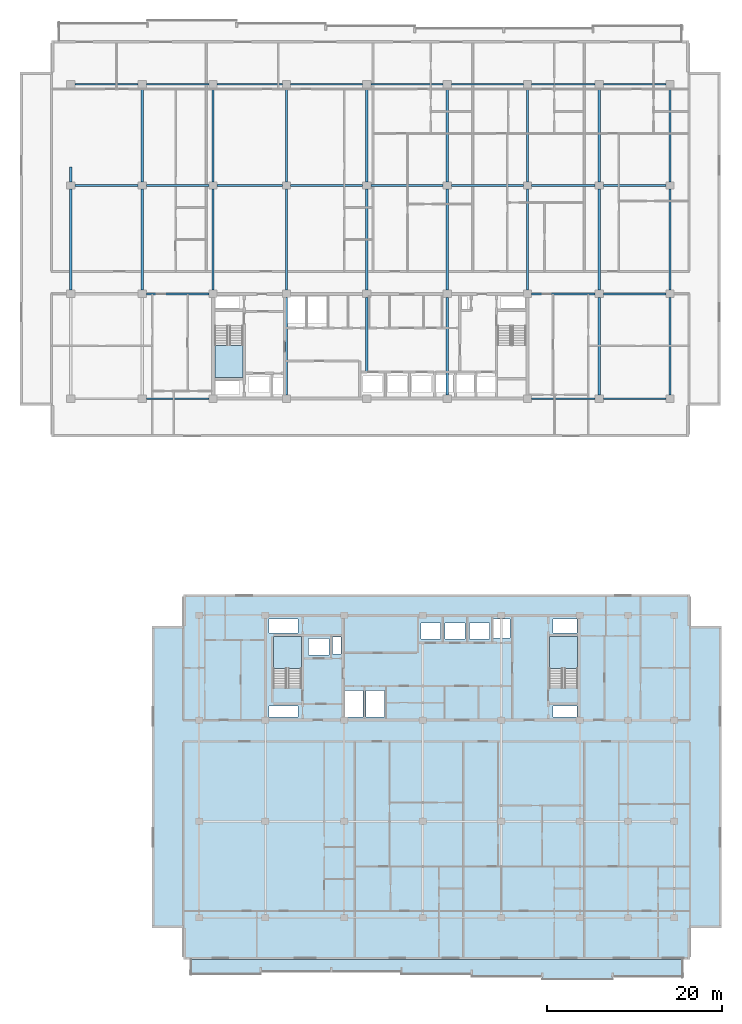
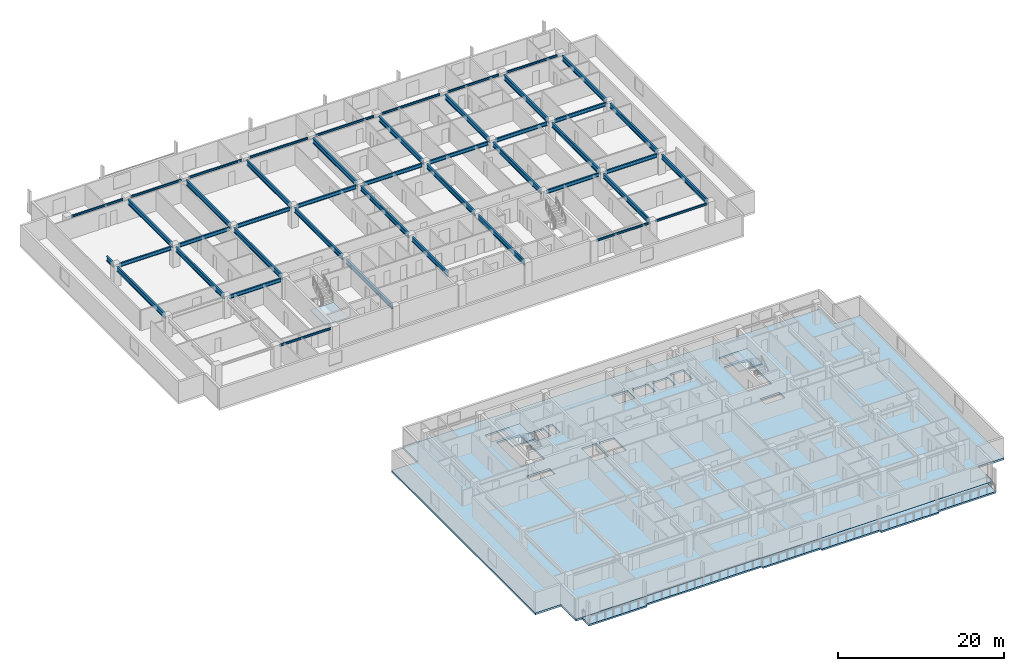
# One storey, part 2 of 22: 45 beams, 5 slabs, 3 elements without a shape of their own.
"""IFC4 building model written with IfcOpenShell, lengths in metres."""

from ifc_helpers import new_model, si_unit, direction, frame, origin, origin_2d, place, context, subcontext, project, spatial, polyline, i_section, outline, extrude, material, layer, layer_set, material_profile, profile_set, type_object, element, aggregate, save


model = new_model("IFC4")

# Units and contexts
model_context = context("Model", 3, precision=1e-05, world=origin(), true_north=direction((0.0, 1.0)))
body_context = subcontext(model_context, "Body", "Model", "MODEL_VIEW")
ifc_project = project(units=[si_unit("LENGTHUNIT", "METRE"), si_unit("AREAUNIT", "SQUARE_METRE"), si_unit("VOLUMEUNIT", "CUBIC_METRE"), si_unit("PLANEANGLEUNIT", "RADIAN"), si_unit("MASSUNIT", "GRAM", prefix="KILO")], contexts=[model_context])

# Site, building, storey
site_placement = place(None, origin())
site = spatial("IfcSite", under=ifc_project, at=site_placement, CompositionType="ELEMENT")
building_placement = place(site_placement, origin())
building = spatial("IfcBuilding", under=site, at=building_placement, Name="Korimba Cascade Residences", CompositionType="ELEMENT")
storey_placement = place(building_placement, frame((0.0, 0.0, 110.050048828125)))
storey = spatial("IfcBuildingStorey", under=building, at=storey_placement, Name="L31", CompositionType="ELEMENT", Elevation=110.050048828125)

# Beams
ifc_material_1 = material(Name="Steel S355", Category="steel")
ifc_material_profile_1 = material_profile(ifc_material_1, i_section(OverallWidth=0.165771484375, OverallDepth=0.306640625, WebThickness=0.006591796875, FlangeThickness=0.01171875, FilletRadius=0.0087890625, at=origin_2d()), Name="Steel S355")
ifc_profile_set_1 = profile_set([ifc_material_profile_1], Name="Steel S355")
beam_type_1 = type_object("IfcBeamType", Name="BM-STL-UB305", PredefinedType="SPANDREL", material=ifc_profile_set_1)
beam_1_placement = place(storey_placement, frame((68.47509765625, 55.199951171875, 2.816650390625), z_axis=(1.0, 0.0, 0.0), x_axis=(0.0, 1.0, 0.0)))
element("IfcBeam", 1, at=beam_1_placement, inside=storey, type_object=beam_type_1, Name="L31 T1 E-W Girder Y1 Bay 2", PredefinedType="SPANDREL", context=body_context, shape_type="SweptSolid", body=[
    extrude(i_section(OverallWidth=0.165771484375, OverallDepth=0.306640625, WebThickness=0.006591796875, FlangeThickness=0.01171875, FilletRadius=0.0087890625, at=origin_2d()), origin(), (0.0, 0.0, 1.0), 7.14990234375),
])
beam_2_placement = place(storey_placement, frame((112.574951171875, 55.199951171875, 2.816650390625), z_axis=(1.0, 0.0, 0.0), x_axis=(0.0, 1.0, 0.0)))
element("IfcBeam", 2, at=beam_2_placement, inside=storey, type_object=beam_type_1, Name="L31 T1 E-W Girder Y1 Bay 7", PredefinedType="SPANDREL", context=body_context, shape_type="SweptSolid", body=[
    extrude(i_section(OverallWidth=0.165771484375, OverallDepth=0.306640625, WebThickness=0.006591796875, FlangeThickness=0.01171875, FilletRadius=0.0087890625, at=origin_2d()), origin(), (0.0, 0.0, 1.0), 7.25),
])
beam_3_placement = place(storey_placement, frame((120.77490234375, 55.199951171875, 2.816650390625), z_axis=(1.0, 0.0, 0.0), x_axis=(0.0, 1.0, 0.0)))
element("IfcBeam", 3, at=beam_3_placement, inside=storey, type_object=beam_type_1, Name="L31 T1 E-W Girder Y1 Bay 8", PredefinedType="SPANDREL", context=body_context, shape_type="SweptSolid", body=[
    extrude(i_section(OverallWidth=0.165771484375, OverallDepth=0.306640625, WebThickness=0.006591796875, FlangeThickness=0.01171875, FilletRadius=0.0087890625, at=origin_2d()), origin(), (0.0, 0.0, 1.0), 7.150146484375),
])
beam_4_placement = place(storey_placement, frame((60.27490234375, 91.199951171875, 2.816650390625), z_axis=(1.0, 0.0, 0.0), x_axis=(0.0, 1.0, 0.0)))
element("IfcBeam", 4, at=beam_4_placement, inside=storey, type_object=beam_type_1, Name="L31 T1 E-W Girder Y4 Bay 1", PredefinedType="SPANDREL", context=body_context, shape_type="SweptSolid", body=[
    extrude(i_section(OverallWidth=0.165771484375, OverallDepth=0.306640625, WebThickness=0.006591796875, FlangeThickness=0.01171875, FilletRadius=0.0087890625, at=origin_2d()), origin(), (0.0, 0.0, 1.0), 7.25),
])
beam_5_placement = place(storey_placement, frame((68.47509765625, 91.199951171875, 2.816650390625), z_axis=(1.0, 0.0, 0.0), x_axis=(0.0, 1.0, 0.0)))
element("IfcBeam", 5, at=beam_5_placement, inside=storey, type_object=beam_type_1, Name="L31 T1 E-W Girder Y4 Bay 2", PredefinedType="SPANDREL", context=body_context, shape_type="SweptSolid", body=[
    extrude(i_section(OverallWidth=0.165771484375, OverallDepth=0.306640625, WebThickness=0.006591796875, FlangeThickness=0.01171875, FilletRadius=0.0087890625, at=origin_2d()), origin(), (0.0, 0.0, 1.0), 7.14990234375),
])
beam_6_placement = place(storey_placement, frame((76.574951171875, 91.199951171875, 2.816650390625), z_axis=(1.0, 0.0, 0.0), x_axis=(0.0, 1.0, 0.0)))
element("IfcBeam", 6, at=beam_6_placement, inside=storey, type_object=beam_type_1, Name="L31 T1 E-W Girder Y4 Bay 3", PredefinedType="SPANDREL", context=body_context, shape_type="SweptSolid", body=[
    extrude(i_section(OverallWidth=0.165771484375, OverallDepth=0.306640625, WebThickness=0.006591796875, FlangeThickness=0.01171875, FilletRadius=0.0087890625, at=origin_2d()), origin(), (0.0, 0.0, 1.0), 7.449951171875),
])
for number, where, z_axis, x_axis, name in (
    (7, (84.97509765625, 91.199951171875, 2.816650390625), (1.0, 0.0, 0.0), (0.0, 1.0, 0.0), "L31 T1 E-W Girder Y4 Bay 4"),
    (8, (94.175048828125, 91.199951171875, 2.816650390625), (1.0, 0.0, 0.0), (0.0, 1.0, 0.0), "L31 T1 E-W Girder Y4 Bay 5"),
    (9, (103.375, 91.199951171875, 2.816650390625), (1.0, 0.0, 0.0), (0.0, 1.0, 0.0), "L31 T1 E-W Girder Y4 Bay 6"),
):
    element("IfcBeam", number, at=place(storey_placement, frame(where, z_axis=z_axis, x_axis=x_axis)), inside=storey, type_object=beam_type_1, Name=name, PredefinedType="SPANDREL", context=body_context, shape_type="SweptSolid", body=[
        extrude(i_section(OverallWidth=0.165771484375, OverallDepth=0.306640625, WebThickness=0.006591796875, FlangeThickness=0.01171875, FilletRadius=0.0087890625, at=origin_2d()), origin(), (0.0, 0.0, 1.0), 8.25),
    ])
beam_7_placement = place(storey_placement, frame((112.574951171875, 91.199951171875, 2.816650390625), z_axis=(1.0, 0.0, 0.0), x_axis=(0.0, 1.0, 0.0)))
element("IfcBeam", 10, at=beam_7_placement, inside=storey, type_object=beam_type_1, Name="L31 T1 E-W Girder Y4 Bay 7", PredefinedType="SPANDREL", context=body_context, shape_type="SweptSolid", body=[
    extrude(i_section(OverallWidth=0.165771484375, OverallDepth=0.306640625, WebThickness=0.006591796875, FlangeThickness=0.01171875, FilletRadius=0.0087890625, at=origin_2d()), origin(), (0.0, 0.0, 1.0), 7.25),
])
beam_8_placement = place(storey_placement, frame((120.77490234375, 91.199951171875, 2.816650390625), z_axis=(1.0, 0.0, 0.0), x_axis=(0.0, 1.0, 0.0)))
element("IfcBeam", 11, at=beam_8_placement, inside=storey, type_object=beam_type_1, Name="L31 T1 E-W Girder Y4 Bay 8", PredefinedType="SPANDREL", context=body_context, shape_type="SweptSolid", body=[
    extrude(i_section(OverallWidth=0.165771484375, OverallDepth=0.306640625, WebThickness=0.006591796875, FlangeThickness=0.01171875, FilletRadius=0.0087890625, at=origin_2d()), origin(), (0.0, 0.0, 1.0), 7.150146484375),
])
ifc_material_profile_2 = material_profile(ifc_material_1, i_section(OverallWidth=0.2099609375, OverallDepth=0.53662109375, WebThickness=0.0107421875, FlangeThickness=0.017333984375, FilletRadius=0.0126953125, at=origin_2d()), Name="Steel S355")
ifc_profile_set_2 = profile_set([ifc_material_profile_2], Name="Steel S355")
beam_type_2 = type_object("IfcBeamType", Name="BM-STL-UB533", PredefinedType="BEAM", material=ifc_profile_set_2)
beam_9_placement = place(storey_placement, frame((68.47509765625, 67.199951171875, 2.70166015625), z_axis=(1.0, 0.0, 0.0), x_axis=(0.0, 1.0, 0.0)))
element("IfcBeam", 12, at=beam_9_placement, inside=storey, type_object=beam_type_2, Name="L31 T1 E-W Girder Y2 Bay 2", PredefinedType="BEAM", context=body_context, shape_type="SweptSolid", body=[
    extrude(i_section(OverallWidth=0.2099609375, OverallDepth=0.53662109375, WebThickness=0.0107421875, FlangeThickness=0.017333984375, FilletRadius=0.0126953125, at=origin_2d()), origin(), (0.0, 0.0, 1.0), 7.14990234375),
])
beam_10_placement = place(storey_placement, frame((112.574951171875, 67.199951171875, 2.70166015625), z_axis=(1.0, 0.0, 0.0), x_axis=(0.0, 1.0, 0.0)))
element("IfcBeam", 13, at=beam_10_placement, inside=storey, type_object=beam_type_2, Name="L31 T1 E-W Girder Y2 Bay 7", PredefinedType="BEAM", context=body_context, shape_type="SweptSolid", body=[
    extrude(i_section(OverallWidth=0.2099609375, OverallDepth=0.53662109375, WebThickness=0.0107421875, FlangeThickness=0.017333984375, FilletRadius=0.0126953125, at=origin_2d()), origin(), (0.0, 0.0, 1.0), 7.25),
])
beam_11_placement = place(storey_placement, frame((120.77490234375, 67.199951171875, 2.70166015625), z_axis=(1.0, 0.0, 0.0), x_axis=(0.0, 1.0, 0.0)))
element("IfcBeam", 14, at=beam_11_placement, inside=storey, type_object=beam_type_2, Name="L31 T1 E-W Girder Y2 Bay 8", PredefinedType="BEAM", context=body_context, shape_type="SweptSolid", body=[
    extrude(i_section(OverallWidth=0.2099609375, OverallDepth=0.53662109375, WebThickness=0.0107421875, FlangeThickness=0.017333984375, FilletRadius=0.0126953125, at=origin_2d()), origin(), (0.0, 0.0, 1.0), 7.150146484375),
])
beam_12_placement = place(storey_placement, frame((60.27490234375, 79.60009765625, 2.70166015625), z_axis=(1.0, 0.0, 0.0), x_axis=(0.0, 1.0, 0.0)))
element("IfcBeam", 15, at=beam_12_placement, inside=storey, type_object=beam_type_2, Name="L31 T1 E-W Girder Y3 Bay 1", PredefinedType="BEAM", context=body_context, shape_type="SweptSolid", body=[
    extrude(i_section(OverallWidth=0.2099609375, OverallDepth=0.53662109375, WebThickness=0.0107421875, FlangeThickness=0.017333984375, FilletRadius=0.0126953125, at=origin_2d()), origin(), (0.0, 0.0, 1.0), 7.25),
])
beam_13_placement = place(storey_placement, frame((68.47509765625, 79.60009765625, 2.70166015625), z_axis=(1.0, 0.0, 0.0), x_axis=(0.0, 1.0, 0.0)))
element("IfcBeam", 16, at=beam_13_placement, inside=storey, type_object=beam_type_2, Name="L31 T1 E-W Girder Y3 Bay 2", PredefinedType="BEAM", context=body_context, shape_type="SweptSolid", body=[
    extrude(i_section(OverallWidth=0.2099609375, OverallDepth=0.53662109375, WebThickness=0.0107421875, FlangeThickness=0.017333984375, FilletRadius=0.0126953125, at=origin_2d()), origin(), (0.0, 0.0, 1.0), 7.14990234375),
])
beam_14_placement = place(storey_placement, frame((76.574951171875, 79.60009765625, 2.70166015625), z_axis=(1.0, 0.0, 0.0), x_axis=(0.0, 1.0, 0.0)))
element("IfcBeam", 17, at=beam_14_placement, inside=storey, type_object=beam_type_2, Name="L31 T1 E-W Girder Y3 Bay 3", PredefinedType="BEAM", context=body_context, shape_type="SweptSolid", body=[
    extrude(i_section(OverallWidth=0.2099609375, OverallDepth=0.53662109375, WebThickness=0.0107421875, FlangeThickness=0.017333984375, FilletRadius=0.0126953125, at=origin_2d()), origin(), (0.0, 0.0, 1.0), 7.449951171875),
])
for number, where, z_axis, x_axis, name in (
    (18, (84.97509765625, 79.60009765625, 2.70166015625), (1.0, 0.0, 0.0), (0.0, 1.0, 0.0), "L31 T1 E-W Girder Y3 Bay 4"),
    (19, (94.175048828125, 79.60009765625, 2.70166015625), (1.0, 0.0, 0.0), (0.0, 1.0, 0.0), "L31 T1 E-W Girder Y3 Bay 5"),
    (20, (103.375, 79.60009765625, 2.70166015625), (1.0, 0.0, 0.0), (0.0, 1.0, 0.0), "L31 T1 E-W Girder Y3 Bay 6"),
):
    element("IfcBeam", number, at=place(storey_placement, frame(where, z_axis=z_axis, x_axis=x_axis)), inside=storey, type_object=beam_type_2, Name=name, PredefinedType="BEAM", context=body_context, shape_type="SweptSolid", body=[
        extrude(i_section(OverallWidth=0.2099609375, OverallDepth=0.53662109375, WebThickness=0.0107421875, FlangeThickness=0.017333984375, FilletRadius=0.0126953125, at=origin_2d()), origin(), (0.0, 0.0, 1.0), 8.25),
    ])
beam_15_placement = place(storey_placement, frame((112.574951171875, 79.60009765625, 2.70166015625), z_axis=(1.0, 0.0, 0.0), x_axis=(0.0, 1.0, 0.0)))
element("IfcBeam", 21, at=beam_15_placement, inside=storey, type_object=beam_type_2, Name="L31 T1 E-W Girder Y3 Bay 7", PredefinedType="BEAM", context=body_context, shape_type="SweptSolid", body=[
    extrude(i_section(OverallWidth=0.2099609375, OverallDepth=0.53662109375, WebThickness=0.0107421875, FlangeThickness=0.017333984375, FilletRadius=0.0126953125, at=origin_2d()), origin(), (0.0, 0.0, 1.0), 7.25),
])
beam_16_placement = place(storey_placement, frame((120.77490234375, 79.60009765625, 2.70166015625), z_axis=(1.0, 0.0, 0.0), x_axis=(0.0, 1.0, 0.0)))
element("IfcBeam", 22, at=beam_16_placement, inside=storey, type_object=beam_type_2, Name="L31 T1 E-W Girder Y3 Bay 8", PredefinedType="BEAM", context=body_context, shape_type="SweptSolid", body=[
    extrude(i_section(OverallWidth=0.2099609375, OverallDepth=0.53662109375, WebThickness=0.0107421875, FlangeThickness=0.017333984375, FilletRadius=0.0126953125, at=origin_2d()), origin(), (0.0, 0.0, 1.0), 7.150146484375),
])
ifc_material_profile_3 = material_profile(ifc_material_1, i_section(OverallWidth=0.255859375, OverallDepth=0.69287109375, WebThickness=0.014404296875, FlangeThickness=0.023681640625, FilletRadius=0.01513671875, at=origin_2d()), Name="Steel S355")
ifc_profile_set_3 = profile_set([ifc_material_profile_3], Name="Steel S355")
beam_type_3 = type_object("IfcBeamType", Name="BM-STL-UB686", PredefinedType="BEAM", material=ifc_profile_set_3)
beam_17_placement = place(storey_placement, frame((59.800048828125, 67.625, 2.62353515625), z_axis=(0.0, 1.0, 0.0), x_axis=(-1.0, 0.0, 0.0)))
element("IfcBeam", 23, at=beam_17_placement, inside=storey, type_object=beam_type_3, Name="L31 T1 N-S Girder X1 Seg 2", PredefinedType="BEAM", context=body_context, shape_type="SweptSolid", body=[
    extrude(i_section(OverallWidth=0.255859375, OverallDepth=0.69287109375, WebThickness=0.014404296875, FlangeThickness=0.023681640625, FilletRadius=0.01513671875, at=origin_2d()), origin(), (0.0, 0.0, 1.0), 11.550048828125),
])
beam_18_placement = place(storey_placement, frame((59.800048828125, 80.02490234375, 2.62353515625), z_axis=(0.0, 1.0, 0.0), x_axis=(-1.0, 0.0, 0.0)))
element("IfcBeam", 24, at=beam_18_placement, inside=storey, type_object=beam_type_3, Name="L31 T1 N-S Girder X1 Seg 3", PredefinedType="BEAM", context=body_context, shape_type="SweptSolid", body=[
    extrude(i_section(OverallWidth=0.255859375, OverallDepth=0.69287109375, WebThickness=0.014404296875, FlangeThickness=0.023681640625, FilletRadius=0.01513671875, at=origin_2d()), origin(), (0.0, 0.0, 1.0), 1.675048828125),
])
beam_19_placement = place(storey_placement, frame((68.0, 67.625, 2.62353515625), z_axis=(0.0, 1.0, 0.0), x_axis=(-1.0, 0.0, 0.0)))
element("IfcBeam", 25, at=beam_19_placement, inside=storey, type_object=beam_type_3, Name="L31 T1 N-S Girder X2 Seg 2", PredefinedType="BEAM", context=body_context, shape_type="SweptSolid", body=[
    extrude(i_section(OverallWidth=0.255859375, OverallDepth=0.69287109375, WebThickness=0.014404296875, FlangeThickness=0.023681640625, FilletRadius=0.01513671875, at=origin_2d()), origin(), (0.0, 0.0, 1.0), 11.550048828125),
])
beam_20_placement = place(storey_placement, frame((68.0, 80.02490234375, 2.62353515625), z_axis=(0.0, 1.0, 0.0), x_axis=(-1.0, 0.0, 0.0)))
element("IfcBeam", 26, at=beam_20_placement, inside=storey, type_object=beam_type_3, Name="L31 T1 N-S Girder X2 Seg 3", PredefinedType="BEAM", context=body_context, shape_type="SweptSolid", body=[
    extrude(i_section(OverallWidth=0.255859375, OverallDepth=0.69287109375, WebThickness=0.014404296875, FlangeThickness=0.023681640625, FilletRadius=0.01513671875, at=origin_2d()), origin(), (0.0, 0.0, 1.0), 10.75),
])
beam_21_placement = place(storey_placement, frame((76.10009765625, 67.625, 2.62353515625), z_axis=(0.0, 1.0, 0.0), x_axis=(-1.0, 0.0, 0.0)))
element("IfcBeam", 27, at=beam_21_placement, inside=storey, type_object=beam_type_3, Name="L31 T1 N-S Girder X3 Seg 2", PredefinedType="BEAM", context=body_context, shape_type="SweptSolid", body=[
    extrude(i_section(OverallWidth=0.255859375, OverallDepth=0.69287109375, WebThickness=0.014404296875, FlangeThickness=0.023681640625, FilletRadius=0.01513671875, at=origin_2d()), origin(), (0.0, 0.0, 1.0), 11.550048828125),
])
beam_22_placement = place(storey_placement, frame((76.10009765625, 80.02490234375, 2.62353515625), z_axis=(0.0, 1.0, 0.0), x_axis=(-1.0, 0.0, 0.0)))
element("IfcBeam", 28, at=beam_22_placement, inside=storey, type_object=beam_type_3, Name="L31 T1 N-S Girder X3 Seg 3", PredefinedType="BEAM", context=body_context, shape_type="SweptSolid", body=[
    extrude(i_section(OverallWidth=0.255859375, OverallDepth=0.69287109375, WebThickness=0.014404296875, FlangeThickness=0.023681640625, FilletRadius=0.01513671875, at=origin_2d()), origin(), (0.0, 0.0, 1.0), 10.75),
])
beam_23_placement = place(storey_placement, frame((84.5, 55.625, 2.62353515625), z_axis=(0.0, 1.0, 0.0), x_axis=(-1.0, 0.0, 0.0)))
element("IfcBeam", 29, at=beam_23_placement, inside=storey, type_object=beam_type_3, Name="L31 T1 N-S Girder X4 Seg 1", PredefinedType="BEAM", context=body_context, shape_type="SweptSolid", body=[
    extrude(i_section(OverallWidth=0.255859375, OverallDepth=0.69287109375, WebThickness=0.014404296875, FlangeThickness=0.023681640625, FilletRadius=0.01513671875, at=origin_2d()), origin(), (0.0, 0.0, 1.0), 11.14990234375),
])
beam_24_placement = place(storey_placement, frame((84.5, 67.625, 2.62353515625), z_axis=(0.0, 1.0, 0.0), x_axis=(-1.0, 0.0, 0.0)))
element("IfcBeam", 30, at=beam_24_placement, inside=storey, type_object=beam_type_3, Name="L31 T1 N-S Girder X4 Seg 2", PredefinedType="BEAM", context=body_context, shape_type="SweptSolid", body=[
    extrude(i_section(OverallWidth=0.255859375, OverallDepth=0.69287109375, WebThickness=0.014404296875, FlangeThickness=0.023681640625, FilletRadius=0.01513671875, at=origin_2d()), origin(), (0.0, 0.0, 1.0), 11.550048828125),
])
beam_25_placement = place(storey_placement, frame((84.5, 80.02490234375, 2.62353515625), z_axis=(0.0, 1.0, 0.0), x_axis=(-1.0, 0.0, 0.0)))
element("IfcBeam", 31, at=beam_25_placement, inside=storey, type_object=beam_type_3, Name="L31 T1 N-S Girder X4 Seg 3", PredefinedType="BEAM", context=body_context, shape_type="SweptSolid", body=[
    extrude(i_section(OverallWidth=0.255859375, OverallDepth=0.69287109375, WebThickness=0.014404296875, FlangeThickness=0.023681640625, FilletRadius=0.01513671875, at=origin_2d()), origin(), (0.0, 0.0, 1.0), 10.75),
])
beam_26_placement = place(storey_placement, frame((93.699951171875, 58.159912109375, 2.62353515625), z_axis=(0.0, 1.0, 0.0), x_axis=(-1.0, 0.0, 0.0)))
element("IfcBeam", 32, at=beam_26_placement, inside=storey, type_object=beam_type_3, Name="L31 T1 N-S Girder X5 Seg 1", PredefinedType="BEAM", context=body_context, shape_type="SweptSolid", body=[
    extrude(i_section(OverallWidth=0.255859375, OverallDepth=0.69287109375, WebThickness=0.014404296875, FlangeThickness=0.023681640625, FilletRadius=0.01513671875, at=origin_2d()), origin(), (0.0, 0.0, 1.0), 8.614990234375),
])
beam_27_placement = place(storey_placement, frame((93.699951171875, 67.625, 2.62353515625), z_axis=(0.0, 1.0, 0.0), x_axis=(-1.0, 0.0, 0.0)))
element("IfcBeam", 33, at=beam_27_placement, inside=storey, type_object=beam_type_3, Name="L31 T1 N-S Girder X5 Seg 2", PredefinedType="BEAM", context=body_context, shape_type="SweptSolid", body=[
    extrude(i_section(OverallWidth=0.255859375, OverallDepth=0.69287109375, WebThickness=0.014404296875, FlangeThickness=0.023681640625, FilletRadius=0.01513671875, at=origin_2d()), origin(), (0.0, 0.0, 1.0), 11.550048828125),
])
beam_28_placement = place(storey_placement, frame((93.699951171875, 80.02490234375, 2.62353515625), z_axis=(0.0, 1.0, 0.0), x_axis=(-1.0, 0.0, 0.0)))
element("IfcBeam", 34, at=beam_28_placement, inside=storey, type_object=beam_type_3, Name="L31 T1 N-S Girder X5 Seg 3", PredefinedType="BEAM", context=body_context, shape_type="SweptSolid", body=[
    extrude(i_section(OverallWidth=0.255859375, OverallDepth=0.69287109375, WebThickness=0.014404296875, FlangeThickness=0.023681640625, FilletRadius=0.01513671875, at=origin_2d()), origin(), (0.0, 0.0, 1.0), 10.75),
])
beam_29_placement = place(storey_placement, frame((102.89990234375, 55.625, 2.62353515625), z_axis=(0.0, 1.0, 0.0), x_axis=(-1.0, 0.0, 0.0)))
element("IfcBeam", 35, at=beam_29_placement, inside=storey, type_object=beam_type_3, Name="L31 T1 N-S Girder X6 Seg 1", PredefinedType="BEAM", context=body_context, shape_type="SweptSolid", body=[
    extrude(i_section(OverallWidth=0.255859375, OverallDepth=0.69287109375, WebThickness=0.014404296875, FlangeThickness=0.023681640625, FilletRadius=0.01513671875, at=origin_2d()), origin(), (0.0, 0.0, 1.0), 11.14990234375),
])
beam_30_placement = place(storey_placement, frame((102.89990234375, 67.625, 2.62353515625), z_axis=(0.0, 1.0, 0.0), x_axis=(-1.0, 0.0, 0.0)))
element("IfcBeam", 36, at=beam_30_placement, inside=storey, type_object=beam_type_3, Name="L31 T1 N-S Girder X6 Seg 2", PredefinedType="BEAM", context=body_context, shape_type="SweptSolid", body=[
    extrude(i_section(OverallWidth=0.255859375, OverallDepth=0.69287109375, WebThickness=0.014404296875, FlangeThickness=0.023681640625, FilletRadius=0.01513671875, at=origin_2d()), origin(), (0.0, 0.0, 1.0), 11.550048828125),
])
beam_31_placement = place(storey_placement, frame((102.89990234375, 80.02490234375, 2.62353515625), z_axis=(0.0, 1.0, 0.0), x_axis=(-1.0, 0.0, 0.0)))
element("IfcBeam", 37, at=beam_31_placement, inside=storey, type_object=beam_type_3, Name="L31 T1 N-S Girder X6 Seg 3", PredefinedType="BEAM", context=body_context, shape_type="SweptSolid", body=[
    extrude(i_section(OverallWidth=0.255859375, OverallDepth=0.69287109375, WebThickness=0.014404296875, FlangeThickness=0.023681640625, FilletRadius=0.01513671875, at=origin_2d()), origin(), (0.0, 0.0, 1.0), 10.75),
])
beam_32_placement = place(storey_placement, frame((112.10009765625, 67.625, 2.62353515625), z_axis=(0.0, 1.0, 0.0), x_axis=(-1.0, 0.0, 0.0)))
element("IfcBeam", 38, at=beam_32_placement, inside=storey, type_object=beam_type_3, Name="L31 T1 N-S Girder X7 Seg 2", PredefinedType="BEAM", context=body_context, shape_type="SweptSolid", body=[
    extrude(i_section(OverallWidth=0.255859375, OverallDepth=0.69287109375, WebThickness=0.014404296875, FlangeThickness=0.023681640625, FilletRadius=0.01513671875, at=origin_2d()), origin(), (0.0, 0.0, 1.0), 11.550048828125),
])
beam_33_placement = place(storey_placement, frame((112.10009765625, 80.02490234375, 2.62353515625), z_axis=(0.0, 1.0, 0.0), x_axis=(-1.0, 0.0, 0.0)))
element("IfcBeam", 39, at=beam_33_placement, inside=storey, type_object=beam_type_3, Name="L31 T1 N-S Girder X7 Seg 3", PredefinedType="BEAM", context=body_context, shape_type="SweptSolid", body=[
    extrude(i_section(OverallWidth=0.255859375, OverallDepth=0.69287109375, WebThickness=0.014404296875, FlangeThickness=0.023681640625, FilletRadius=0.01513671875, at=origin_2d()), origin(), (0.0, 0.0, 1.0), 10.75),
])
beam_34_placement = place(storey_placement, frame((120.300048828125, 55.625, 2.62353515625), z_axis=(0.0, 1.0, 0.0), x_axis=(-1.0, 0.0, 0.0)))
element("IfcBeam", 40, at=beam_34_placement, inside=storey, type_object=beam_type_3, Name="L31 T1 N-S Girder X8 Seg 1", PredefinedType="BEAM", context=body_context, shape_type="SweptSolid", body=[
    extrude(i_section(OverallWidth=0.255859375, OverallDepth=0.69287109375, WebThickness=0.014404296875, FlangeThickness=0.023681640625, FilletRadius=0.01513671875, at=origin_2d()), origin(), (0.0, 0.0, 1.0), 11.14990234375),
])
beam_35_placement = place(storey_placement, frame((120.300048828125, 67.625, 2.62353515625), z_axis=(0.0, 1.0, 0.0), x_axis=(-1.0, 0.0, 0.0)))
element("IfcBeam", 41, at=beam_35_placement, inside=storey, type_object=beam_type_3, Name="L31 T1 N-S Girder X8 Seg 2", PredefinedType="BEAM", context=body_context, shape_type="SweptSolid", body=[
    extrude(i_section(OverallWidth=0.255859375, OverallDepth=0.69287109375, WebThickness=0.014404296875, FlangeThickness=0.023681640625, FilletRadius=0.01513671875, at=origin_2d()), origin(), (0.0, 0.0, 1.0), 11.550048828125),
])
beam_36_placement = place(storey_placement, frame((120.300048828125, 80.02490234375, 2.62353515625), z_axis=(0.0, 1.0, 0.0), x_axis=(-1.0, 0.0, 0.0)))
element("IfcBeam", 42, at=beam_36_placement, inside=storey, type_object=beam_type_3, Name="L31 T1 N-S Girder X8 Seg 3", PredefinedType="BEAM", context=body_context, shape_type="SweptSolid", body=[
    extrude(i_section(OverallWidth=0.255859375, OverallDepth=0.69287109375, WebThickness=0.014404296875, FlangeThickness=0.023681640625, FilletRadius=0.01513671875, at=origin_2d()), origin(), (0.0, 0.0, 1.0), 10.75),
])
beam_37_placement = place(storey_placement, frame((128.39990234375, 55.625, 2.62353515625), z_axis=(0.0, 1.0, 0.0), x_axis=(-1.0, 0.0, 0.0)))
element("IfcBeam", 43, at=beam_37_placement, inside=storey, type_object=beam_type_3, Name="L31 T1 N-S Girder X9 Seg 1", PredefinedType="BEAM", context=body_context, shape_type="SweptSolid", body=[
    extrude(i_section(OverallWidth=0.255859375, OverallDepth=0.69287109375, WebThickness=0.014404296875, FlangeThickness=0.023681640625, FilletRadius=0.01513671875, at=origin_2d()), origin(), (0.0, 0.0, 1.0), 11.14990234375),
])
beam_38_placement = place(storey_placement, frame((128.39990234375, 67.625, 2.62353515625), z_axis=(0.0, 1.0, 0.0), x_axis=(-1.0, 0.0, 0.0)))
element("IfcBeam", 44, at=beam_38_placement, inside=storey, type_object=beam_type_3, Name="L31 T1 N-S Girder X9 Seg 2", PredefinedType="BEAM", context=body_context, shape_type="SweptSolid", body=[
    extrude(i_section(OverallWidth=0.255859375, OverallDepth=0.69287109375, WebThickness=0.014404296875, FlangeThickness=0.023681640625, FilletRadius=0.01513671875, at=origin_2d()), origin(), (0.0, 0.0, 1.0), 11.550048828125),
])
beam_39_placement = place(storey_placement, frame((128.39990234375, 80.02490234375, 2.62353515625), z_axis=(0.0, 1.0, 0.0), x_axis=(-1.0, 0.0, 0.0)))
element("IfcBeam", 45, at=beam_39_placement, inside=storey, type_object=beam_type_3, Name="L31 T1 N-S Girder X9 Seg 3", PredefinedType="BEAM", context=body_context, shape_type="SweptSolid", body=[
    extrude(i_section(OverallWidth=0.255859375, OverallDepth=0.69287109375, WebThickness=0.014404296875, FlangeThickness=0.023681640625, FilletRadius=0.01513671875, at=origin_2d()), origin(), (0.0, 0.0, 1.0), 10.75),
])

# Stair, slab
ifc_material_2 = material(Name="Concrete C50/60", Category="concrete")
stair_type_1 = type_object("IfcStairType", Name="STR-W1-18R-1806", PredefinedType="HALF_TURN_STAIR", material=ifc_material_2)
stair_1_placement = place(storey_placement, origin())
stair_1 = element("IfcStair", 46, at=stair_1_placement, inside=storey, type_object=stair_type_1, Name="L31 Tower 1 West Fire Stair ST-W1", PredefinedType="HALF_TURN_STAIR")
ifc_layer_1 = layer(ifc_material_2, 0.199951171875)
ifc_layer_set_1 = layer_set([ifc_layer_1], Name="Concrete C50/60")
slab_type_1 = type_object("IfcSlabType", Name="SLB-LND-220", PredefinedType="LANDING", material=ifc_layer_set_1)
slab_1_placement = place(storey_placement, frame((0.0, 0.0, 1.425048828125)))
slab_1 = element("IfcSlab", 47, at=slab_1_placement, type_object=slab_type_1, Name="ST-W1 landing 1", PredefinedType="LANDING", context=body_context, shape_type="SweptSolid", body=[
    extrude(outline(polyline([(76.300048828125, 61.31005859375), (76.300048828125, 57.60009765625), (79.5400390625, 57.60009765625), (79.5400390625, 61.31005859375), (76.300048828125, 61.31005859375)])), origin(), (0.0, 0.0, 1.0), 0.199951171875),
])
aggregate(stair_1, [slab_1])

stair_type_2 = type_object("IfcStairType", Name="STR-E1-18R-1806", PredefinedType="HALF_TURN_STAIR", material=ifc_material_2)
stair_2_placement = place(storey_placement, origin())
stair_2 = element("IfcStair", 48, at=stair_2_placement, inside=storey, type_object=stair_type_2, Name="L31 Tower 2 West Fire Stair ST-E1", PredefinedType="HALF_TURN_STAIR")
slab_2_placement = place(storey_placement, frame((0.0, 0.0, 1.425048828125)))
slab_2 = element("IfcSlab", 49, at=slab_2_placement, type_object=slab_type_1, Name="ST-E1 landing 1", PredefinedType="LANDING", context=body_context, shape_type="SweptSolid", body=[
    extrude(outline(polyline([(86.239990234375, 24.2900390625), (86.239990234375, 28.0), (83.0, 28.0), (83.0, 24.2900390625), (86.239990234375, 24.2900390625)])), origin(), (0.0, 0.0, 1.0), 0.199951171875),
])
aggregate(stair_2, [slab_2])

stair_type_3 = type_object("IfcStairType", Name="STR-E2-18R-1806", PredefinedType="HALF_TURN_STAIR", material=ifc_material_2)
stair_3_placement = place(storey_placement, origin())
stair_3 = element("IfcStair", 50, at=stair_3_placement, inside=storey, type_object=stair_type_3, Name="L31 Tower 2 East Fire Stair ST-E2", PredefinedType="HALF_TURN_STAIR")
slab_3_placement = place(storey_placement, frame((0.0, 0.0, 1.425048828125)))
slab_3 = element("IfcSlab", 51, at=slab_3_placement, type_object=slab_type_1, Name="ST-E2 landing 1", PredefinedType="LANDING", context=body_context, shape_type="SweptSolid", body=[
    extrude(outline(polyline([(117.840087890625, 24.2900390625), (117.840087890625, 28.0), (114.60009765625, 28.0), (114.60009765625, 24.2900390625), (117.840087890625, 24.2900390625)])), origin(), (0.0, 0.0, 1.0), 0.199951171875),
])
aggregate(stair_3, [slab_3])

# Slabs
ifc_material_3 = material(Name="Precast concrete C40/50", Category="concrete")
ifc_layer_2 = layer(ifc_material_3, 0.239990234375)
ifc_layer_set_2 = layer_set([ifc_layer_2], Name="Precast concrete C40/50")
slab_type_2 = type_object("IfcSlabType", Name="SLB-LOG-240", PredefinedType="FLOOR", material=ifc_layer_set_2)
slab_4_placement = place(storey_placement, frame((0.0, 0.0, -0.239990234375)))
element("IfcSlab", 52, at=slab_4_placement, inside=storey, type_object=slab_type_2, Name="L31 Tower 2 South Loggia Slab", PredefinedType="FLOOR", context=body_context, shape_type="SweptSolid", body=[
    extrude(outline(polyline([(73.5, -10.75), (81.55712890625, -10.75), (81.55712890625, -10.449951171875), (97.67138671875, -10.449951171875), (97.67138671875, -10.75), (105.728515625, -10.75), (105.728515625, -11.050048828125), (113.78564453125, -11.050048828125), (113.78564453125, -11.35009765625), (121.843017578125, -11.35009765625), (121.843017578125, -11.050048828125), (129.89990234375, -11.050048828125), (129.89990234375, -9.0), (73.5, -9.0), (73.5, -10.75)])), origin(), (0.0, 0.0, 1.0), 0.239990234375),
])
ifc_layer_3 = layer(ifc_material_2, 0.280029296875)
ifc_layer_set_3 = layer_set([ifc_layer_3], Name="Concrete C50/60")
slab_type_3 = type_object("IfcSlabType", Name="SLB-TYP-280", PredefinedType="FLOOR", material=ifc_layer_set_3)
slab_5_placement = place(storey_placement, frame((0.0, 0.0, -0.280029296875)))
element("IfcSlab", 53, at=slab_5_placement, inside=storey, type_object=slab_type_3, Name="L31 Tower 2 Floor Slab", PredefinedType="FLOOR", context=body_context, shape_type="SweptSolid", body=[
    extrude(outline(polyline([(72.699951171875, -9.0), (130.699951171875, -9.0), (130.699951171875, -5.39990234375), (134.300048828125, -5.39990234375), (134.300048828125, 29.199951171875), (130.699951171875, 29.199951171875), (130.699951171875, 32.800048828125), (72.699951171875, 32.800048828125), (72.699951171875, 29.199951171875), (69.10009765625, 29.199951171875), (69.10009765625, -5.39990234375), (72.699951171875, -5.39990234375), (72.699951171875, -9.0)]), holes=[polyline([(86.239990234375, 22.0849609375), (86.239990234375, 28.0), (83.0, 28.0), (83.0, 22.0849609375), (86.239990234375, 22.0849609375)]), polyline([(117.840087890625, 22.0849609375), (117.840087890625, 28.0), (114.60009765625, 28.0), (114.60009765625, 22.0849609375), (117.840087890625, 22.0849609375)]), polyline([(87.030029296875, 25.8798828125), (89.3701171875, 25.8798828125), (89.3701171875, 27.719970703125), (87.030029296875, 27.719970703125), (87.030029296875, 25.8798828125)]), polyline([(99.8798828125, 27.679931640625), (102.1201171875, 27.679931640625), (102.1201171875, 29.52001953125), (99.8798828125, 29.52001953125), (99.8798828125, 27.679931640625)]), polyline([(102.679931640625, 27.679931640625), (104.919921875, 27.679931640625), (104.919921875, 29.52001953125), (102.679931640625, 29.52001953125), (102.679931640625, 27.679931640625)]), polyline([(105.47998046875, 27.679931640625), (107.719970703125, 27.679931640625), (107.719970703125, 29.52001953125), (105.47998046875, 29.52001953125), (105.47998046875, 27.679931640625)]), polyline([(89.780029296875, 25.97998046875), (90.719970703125, 25.97998046875), (90.719970703125, 27.919921875), (89.780029296875, 27.919921875), (89.780029296875, 25.97998046875)]), polyline([(82.530029296875, 18.72998046875), (85.800048828125, 18.72998046875), (85.800048828125, 20.0400390625), (82.530029296875, 20.0400390625), (82.530029296875, 18.72998046875)]), polyline([(82.530029296875, 28.360107421875), (85.800048828125, 28.360107421875), (85.800048828125, 29.969970703125), (82.530029296875, 29.969970703125), (82.530029296875, 28.360107421875)]), polyline([(108.22998046875, 27.780029296875), (110.1201171875, 27.780029296875), (110.1201171875, 29.969970703125), (108.22998046875, 29.969970703125), (108.22998046875, 27.780029296875)]), polyline([(91.22998046875, 18.72998046875), (93.27001953125, 18.72998046875), (93.27001953125, 21.780029296875), (91.22998046875, 21.780029296875), (91.22998046875, 18.72998046875)]), polyline([(93.6298828125, 18.72998046875), (95.719970703125, 18.72998046875), (95.719970703125, 21.780029296875), (93.6298828125, 21.780029296875), (93.6298828125, 18.72998046875)]), polyline([(115.02001953125, 18.72998046875), (117.739990234375, 18.72998046875), (117.739990234375, 20.0400390625), (115.02001953125, 20.0400390625), (115.02001953125, 18.72998046875)]), polyline([(115.02001953125, 28.360107421875), (117.739990234375, 28.360107421875), (117.739990234375, 29.969970703125), (115.02001953125, 29.969970703125), (115.02001953125, 28.360107421875)])]), origin(), (0.0, 0.0, 1.0), 0.280029296875),
])

save(model, "model.ifc")
